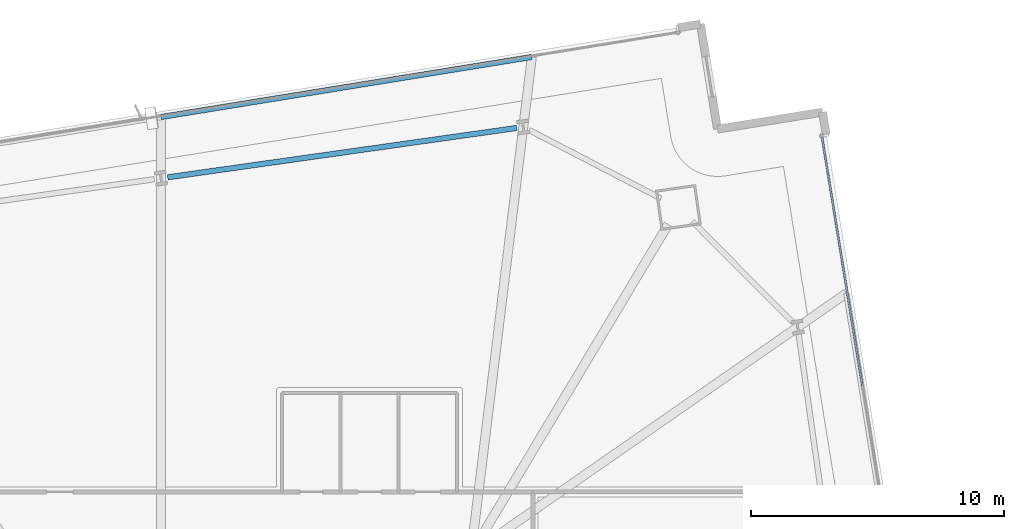
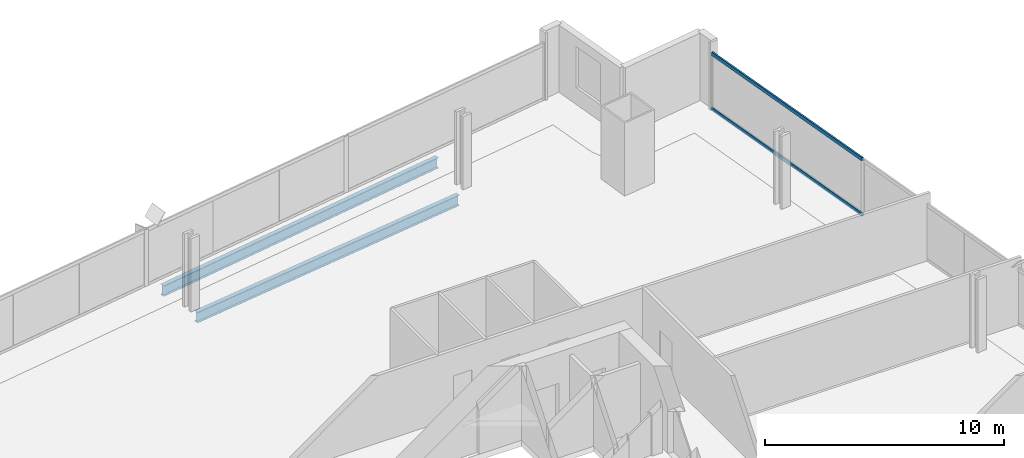
# One storey, part 22 of 33: 2 beams, 2 members, 1 element without a shape of its own.
"""IFC4 building model written with IfcOpenShell, lengths in metres."""

from ifc_helpers import new_model, si_unit, direction, frame, origin, origin_2d, place, context, subcontext, project, spatial, hollow_rectangle, i_section, extrude, material, material_profile, profile_set, type_object, element, aggregate, save


model = new_model("IFC4")

# Units and contexts
model_context = context("Model", 3, precision=1e-05, world=origin(), true_north=direction((0.0, 1.0)))
body_context = subcontext(model_context, "Body", "Model", "MODEL_VIEW")
ifc_project = project(units=[si_unit("LENGTHUNIT", "METRE"), si_unit("AREAUNIT", "SQUARE_METRE"), si_unit("VOLUMEUNIT", "CUBIC_METRE"), si_unit("PLANEANGLEUNIT", "RADIAN"), si_unit("MASSUNIT", "GRAM", prefix="KILO")], contexts=[model_context])

# Site, building, storey
site_placement = place(None, origin())
site = spatial("IfcSite", under=ifc_project, at=site_placement, CompositionType="ELEMENT")
building_placement = place(site_placement, origin())
building = spatial("IfcBuilding", under=site, at=building_placement, Name="Haldenkirk Collegiate Tower", CompositionType="ELEMENT")
storey_placement = place(building_placement, frame((0.0, 0.0, 58.949951171875)))
storey = spatial("IfcBuildingStorey", under=building, at=storey_placement, Name="L13", CompositionType="ELEMENT", Elevation=58.949951171875)

# Beams
ifc_material_1 = material(Name="Steel ASTM A992 Grade 50", Category="steel")
ifc_material_profile_1 = material_profile(ifc_material_1, i_section(OverallWidth=0.2119140625, OverallDepth=0.5439453125, WebThickness=0.01318359375, FlangeThickness=0.021240234375, at=origin_2d()), Name="W21X83")
ifc_profile_set_1 = profile_set([ifc_material_profile_1], Name="Steel ASTM A992 Grade 50")
beam_type = type_object("IfcBeamType", Name="BM-SPANDREL-W21X83", PredefinedType="SPANDREL", material=ifc_profile_set_1)
beam_1_placement = place(storey_placement, frame((46.803955078125, 50.807373046875, -0.58203125), z_axis=(-0.990146197746, -0.14003752029, 0.0), x_axis=(0.14003752029, -0.990146197746, 0.0)))
element("IfcBeam", 1, at=beam_1_placement, inside=storey, type_object=beam_type, Name="L13 perimeter spandrel beam 10", PredefinedType="SPANDREL", context=body_context, shape_type="SweptSolid", body=[
    extrude(i_section(OverallWidth=0.2119140625, OverallDepth=0.5439453125, WebThickness=0.01318359375, FlangeThickness=0.021240234375, at=origin_2d()), origin(), (0.0, 0.0, 1.0), 13.906982421875),
])
beam_2_placement = place(storey_placement, frame((47.40478515625, 53.608642578125, -0.58203125), z_axis=(-0.987134580058, -0.159891590944, 0.0), x_axis=(0.159891590944, -0.987134580058, 0.0)))
element("IfcBeam", 2, at=beam_2_placement, inside=storey, type_object=beam_type, Name="L13 outer facade edge beam 3A", PredefinedType="SPANDREL", context=body_context, shape_type="SweptSolid", body=[
    extrude(i_section(OverallWidth=0.2119140625, OverallDepth=0.5439453125, WebThickness=0.01318359375, FlangeThickness=0.021240234375, at=origin_2d()), origin(), (0.0, 0.0, 1.0), 14.8232421875),
])

# Curtain wall, members
ifc_material_2 = material(Name="Anodised architectural bronze aluminium", Category="aluminium")
curtain_wall_type = type_object("IfcCurtainWallType", Name="CW-SYS1-CONVEX-LOW", PredefinedType="USERDEFINED", material=ifc_material_2)
curtain_wall_placement = place(storey_placement, origin())
curtain_wall = element("IfcCurtainWall", 3, at=curtain_wall_placement, inside=storey, type_object=curtain_wall_type, Name="L13 Lower tower convex bronze-framed unitised curtain wall", ObjectType="UNITISED CURTAIN WALL", PredefinedType="USERDEFINED")
ifc_material_profile_2 = material_profile(ifc_material_2, hollow_rectangle(XDim=0.080078125, YDim=0.179931640625, WallThickness=0.0048828125, at=origin_2d()), Name="CW-TRN-1A")
ifc_profile_set_2 = profile_set([ifc_material_profile_2], Name="Anodised architectural bronze aluminium")
member_type = type_object("IfcMemberType", Name="CW-TRN-1A", PredefinedType="USERDEFINED", material=ifc_profile_set_2)
member_1_placement = place(storey_placement, frame((58.856689453125, 50.438720703125, 0.0400390625), z_axis=(0.159876636244, -0.987137002236, 0.0), x_axis=(0.987137002236, 0.159876636244, 0.0)))
member_1 = element("IfcMember", 4, at=member_1_placement, type_object=member_type, Name="CW-1A transom 1.1", ObjectType="TRANSOM", PredefinedType="USERDEFINED", context=body_context, shape_type="SweptSolid", body=[
    extrude(hollow_rectangle(XDim=0.080078125, YDim=0.179931640625, WallThickness=0.0048828125, at=origin_2d()), origin(), (0.0, 0.0, 1.0), 9.94873046875),
])
member_2_placement = place(storey_placement, frame((58.856689453125, 50.438720703125, 2.85107421875), z_axis=(0.159876636244, -0.987137002236, 0.0), x_axis=(0.987137002236, 0.159876636244, 0.0)))
member_2 = element("IfcMember", 5, at=member_2_placement, type_object=member_type, Name="CW-1A transom 1.2", ObjectType="TRANSOM", PredefinedType="USERDEFINED", context=body_context, shape_type="SweptSolid", body=[
    extrude(hollow_rectangle(XDim=0.080078125, YDim=0.179931640625, WallThickness=0.0048828125, at=origin_2d()), origin(), (0.0, 0.0, 1.0), 9.94873046875),
])
aggregate(curtain_wall, [member_1, member_2])

save(model, "model.ifc")
